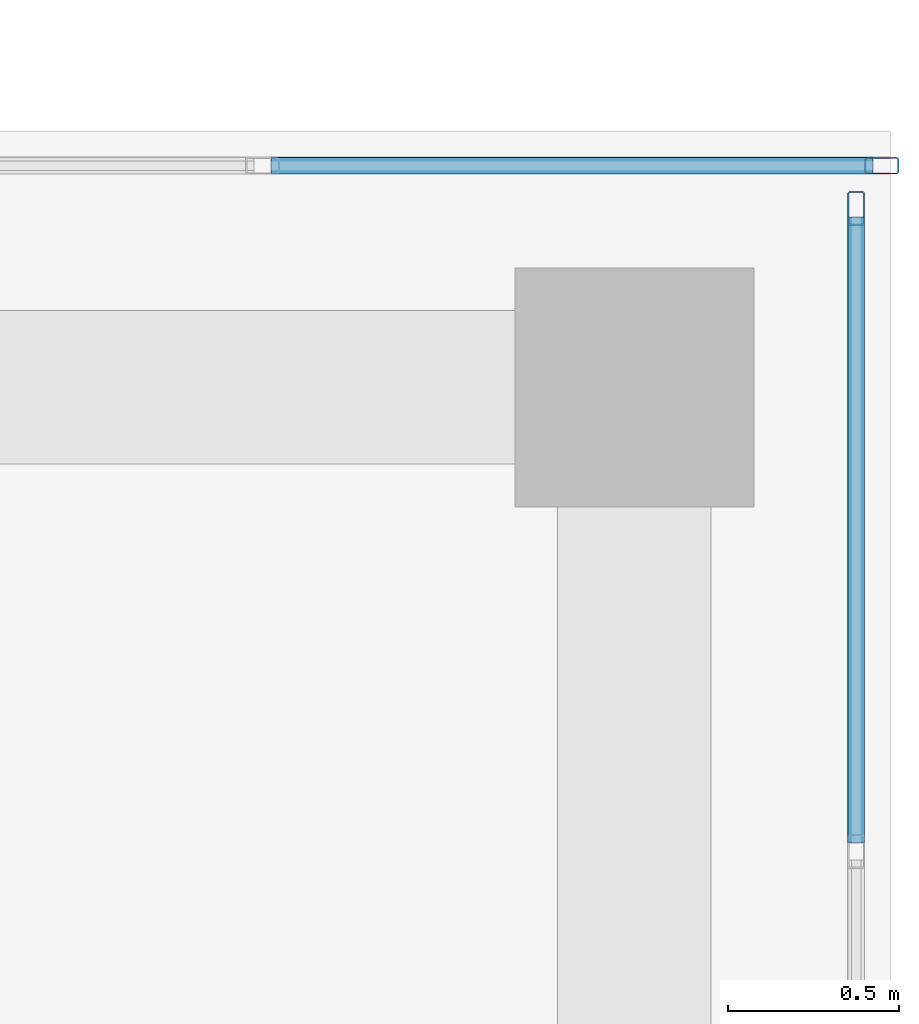
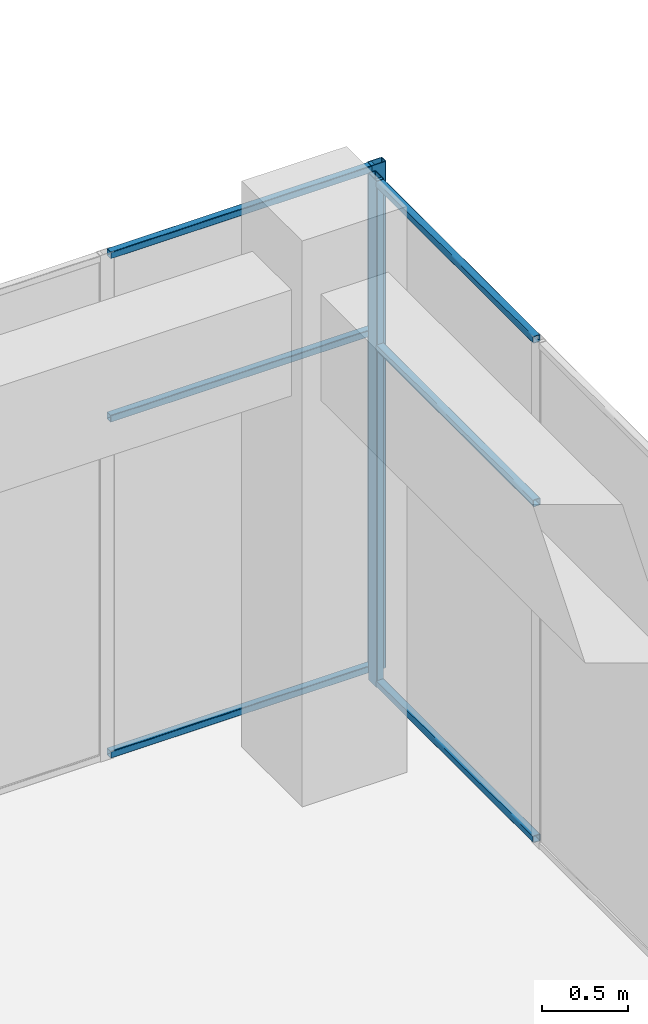
# One storey, part 18 of 32: 8 members, 2 elements without a shape of their own.
"""IFC4 building model written with IfcOpenShell, lengths in metres."""

from ifc_helpers import new_model, si_unit, direction, frame, origin, origin_2d, place, context, subcontext, project, spatial, hollow_rectangle, extrude, material, layer, layer_set, material_profile, profile_set, type_object, element, aggregate, save


model = new_model("IFC4")

# Units and contexts
model_context = context("Model", 3, precision=1e-05, world=origin(), true_north=direction((0.0, 1.0)))
body_context = subcontext(model_context, "Body", "Model", "MODEL_VIEW")
ifc_project = project(units=[si_unit("LENGTHUNIT", "METRE"), si_unit("AREAUNIT", "SQUARE_METRE"), si_unit("VOLUMEUNIT", "CUBIC_METRE"), si_unit("PLANEANGLEUNIT", "RADIAN"), si_unit("MASSUNIT", "GRAM", prefix="KILO")], contexts=[model_context])

# Site, building, storey
site_placement = place(None, origin())
site = spatial("IfcSite", under=ifc_project, at=site_placement, CompositionType="ELEMENT")
building_placement = place(site_placement, origin())
building = spatial("IfcBuilding", under=site, at=building_placement, Name="Tuart Plaza Theatre", CompositionType="ELEMENT")
storey_placement = place(building_placement, frame((0.0, 0.0, 37.5)))
storey = spatial("IfcBuildingStorey", under=building, at=storey_placement, Name="L09", CompositionType="ELEMENT", Elevation=37.5)

# Curtain wall, member
ifc_material_1 = material(Name="Aluminium and glass", Category="aluminium")
ifc_layer = layer(ifc_material_1, 0.10009765625)
ifc_layer_set = layer_set([ifc_layer], Name="CURTAIN WALL 2000 module")
curtain_wall_type = type_object("IfcCurtainWallType", Name="CURTAIN WALL 2000 module", PredefinedType="NOTDEFINED", material=ifc_layer_set)
curtain_wall_1_placement = place(storey_placement, origin())
curtain_wall_1 = element("IfcCurtainWall", 1, at=curtain_wall_1_placement, inside=storey, type_object=curtain_wall_type, Name="CW92", PredefinedType="NOTDEFINED")
ifc_material_2 = material(Name="Aluminium 6063-T5", Category="aluminium")
ifc_material_profile_1 = material_profile(ifc_material_2, hollow_rectangle(XDim=0.050048828125, YDim=0.10009765625, WallThickness=0.00390625, InnerFilletRadius=0.00390625, OuterFilletRadius=0.008056640625, at=origin_2d()), Name="RHS 100x50x4")
ifc_profile_set_1 = profile_set([ifc_material_profile_1], Name="Aluminium 6063-T5")
member_type_1 = type_object("IfcMemberType", Name="MULLION RHS 100x50x4", PredefinedType="MULLION", material=ifc_profile_set_1)
member_1_placement = place(storey_placement, frame((150.64990234375, 83.52490234375, 0.0), z_axis=(0.0, 0.0, 1.0), x_axis=(-1.0, 0.0, 0.0)))
member_1 = element("IfcMember", 2, at=member_1_placement, type_object=member_type_1, Name="CW92 mullion 11", PredefinedType="MULLION", context=body_context, shape_type="SweptSolid", body=[
    extrude(hollow_rectangle(XDim=0.050048828125, YDim=0.10009765625, WallThickness=0.00390625, InnerFilletRadius=0.00390625, OuterFilletRadius=0.008056640625, at=origin_2d()), origin(), (0.0, 0.0, 1.0), 3.580078125),
])

curtain_wall_2_placement = place(storey_placement, origin())
curtain_wall_2 = element("IfcCurtainWall", 3, at=curtain_wall_2_placement, inside=storey, type_object=curtain_wall_type, Name="CW93", PredefinedType="NOTDEFINED")
member_2_placement = place(storey_placement, frame((150.72509765625, 83.64990234375, 0.0), z_axis=(0.0, 0.0, 1.0), x_axis=(0.0, -1.0, 0.0)))
member_2 = element("IfcMember", 4, at=member_2_placement, type_object=member_type_1, Name="CW93 mullion 1", PredefinedType="MULLION", context=body_context, shape_type="SweptSolid", body=[
    extrude(hollow_rectangle(XDim=0.050048828125, YDim=0.10009765625, WallThickness=0.00390625, InnerFilletRadius=0.00390625, OuterFilletRadius=0.008056640625, at=origin_2d()), origin(), (0.0, 0.0, 1.0), 3.580078125),
])

# Member
ifc_material_3 = material(Name="Aluminium 6063-T5", Category="aluminium")
ifc_material_profile_2 = material_profile(ifc_material_3, hollow_rectangle(XDim=0.050048828125, YDim=0.050048828125, WallThickness=0.00390625, InnerFilletRadius=0.00390625, OuterFilletRadius=0.008056640625, at=origin_2d()), Name="RHS 50x50x4")
ifc_profile_set_2 = profile_set([ifc_material_profile_2], Name="Aluminium 6063-T5")
member_type_2 = type_object("IfcMemberType", Name="TRANSOM RHS 50x50x4", PredefinedType="USERDEFINED", material=ifc_profile_set_2)
member_3_placement = place(storey_placement, frame((150.64990234375, 81.6650390625, 0.02490234375), z_axis=(0.0, 1.0, 0.0), x_axis=(-1.0, 0.0, 0.0)))
member_3 = element("IfcMember", 5, at=member_3_placement, type_object=member_type_2, Name="CW92 transom 10.1", ObjectType="TRANSOM", PredefinedType="USERDEFINED", context=body_context, shape_type="SweptSolid", body=[
    extrude(hollow_rectangle(XDim=0.050048828125, YDim=0.050048828125, WallThickness=0.00390625, InnerFilletRadius=0.00390625, OuterFilletRadius=0.008056640625, at=origin_2d()), origin(), (0.0, 0.0, 1.0), 1.8349609375),
])

member_4_placement = place(storey_placement, frame((150.64990234375, 81.6650390625, 2.39990234375), z_axis=(0.0, 1.0, 0.0), x_axis=(-1.0, 0.0, 0.0)))
member_4 = element("IfcMember", 6, at=member_4_placement, type_object=member_type_2, Name="CW92 transom 10.2", ObjectType="TRANSOM", PredefinedType="USERDEFINED", context=body_context, shape_type="SweptSolid", body=[
    extrude(hollow_rectangle(XDim=0.050048828125, YDim=0.050048828125, WallThickness=0.00390625, InnerFilletRadius=0.00390625, OuterFilletRadius=0.008056640625, at=origin_2d()), origin(), (0.0, 0.0, 1.0), 1.8349609375),
])

member_5_placement = place(storey_placement, frame((150.64990234375, 81.6650390625, 3.554931640625), z_axis=(0.0, 1.0, 0.0), x_axis=(-1.0, 0.0, 0.0)))
member_5 = element("IfcMember", 7, at=member_5_placement, type_object=member_type_2, Name="CW92 transom 10.3", ObjectType="TRANSOM", PredefinedType="USERDEFINED", context=body_context, shape_type="SweptSolid", body=[
    extrude(hollow_rectangle(XDim=0.050048828125, YDim=0.050048828125, WallThickness=0.00390625, InnerFilletRadius=0.00390625, OuterFilletRadius=0.008056640625, at=origin_2d()), origin(), (0.0, 0.0, 1.0), 1.8349609375),
])

aggregate(curtain_wall_1, [member_1, member_3, member_4, member_5])

member_6_placement = place(storey_placement, frame((150.699951171875, 83.64990234375, 0.02490234375), z_axis=(-1.0, 0.0, 0.0), x_axis=(0.0, -1.0, 0.0)))
member_6 = element("IfcMember", 8, at=member_6_placement, type_object=member_type_2, Name="CW93 transom 1.1", ObjectType="TRANSOM", PredefinedType="USERDEFINED", context=body_context, shape_type="SweptSolid", body=[
    extrude(hollow_rectangle(XDim=0.050048828125, YDim=0.050048828125, WallThickness=0.00390625, InnerFilletRadius=0.00390625, OuterFilletRadius=0.008056640625, at=origin_2d()), origin(), (0.0, 0.0, 1.0), 1.764892578125),
])

member_7_placement = place(storey_placement, frame((150.699951171875, 83.64990234375, 2.39990234375), z_axis=(-1.0, 0.0, 0.0), x_axis=(0.0, -1.0, 0.0)))
member_7 = element("IfcMember", 9, at=member_7_placement, type_object=member_type_2, Name="CW93 transom 1.2", ObjectType="TRANSOM", PredefinedType="USERDEFINED", context=body_context, shape_type="SweptSolid", body=[
    extrude(hollow_rectangle(XDim=0.050048828125, YDim=0.050048828125, WallThickness=0.00390625, InnerFilletRadius=0.00390625, OuterFilletRadius=0.008056640625, at=origin_2d()), origin(), (0.0, 0.0, 1.0), 1.764892578125),
])

member_8_placement = place(storey_placement, frame((150.699951171875, 83.64990234375, 3.554931640625), z_axis=(-1.0, 0.0, 0.0), x_axis=(0.0, -1.0, 0.0)))
member_8 = element("IfcMember", 10, at=member_8_placement, type_object=member_type_2, Name="CW93 transom 1.3", ObjectType="TRANSOM", PredefinedType="USERDEFINED", context=body_context, shape_type="SweptSolid", body=[
    extrude(hollow_rectangle(XDim=0.050048828125, YDim=0.050048828125, WallThickness=0.00390625, InnerFilletRadius=0.00390625, OuterFilletRadius=0.008056640625, at=origin_2d()), origin(), (0.0, 0.0, 1.0), 1.764892578125),
])

aggregate(curtain_wall_2, [member_2, member_6, member_7, member_8])

save(model, "model.ifc")
